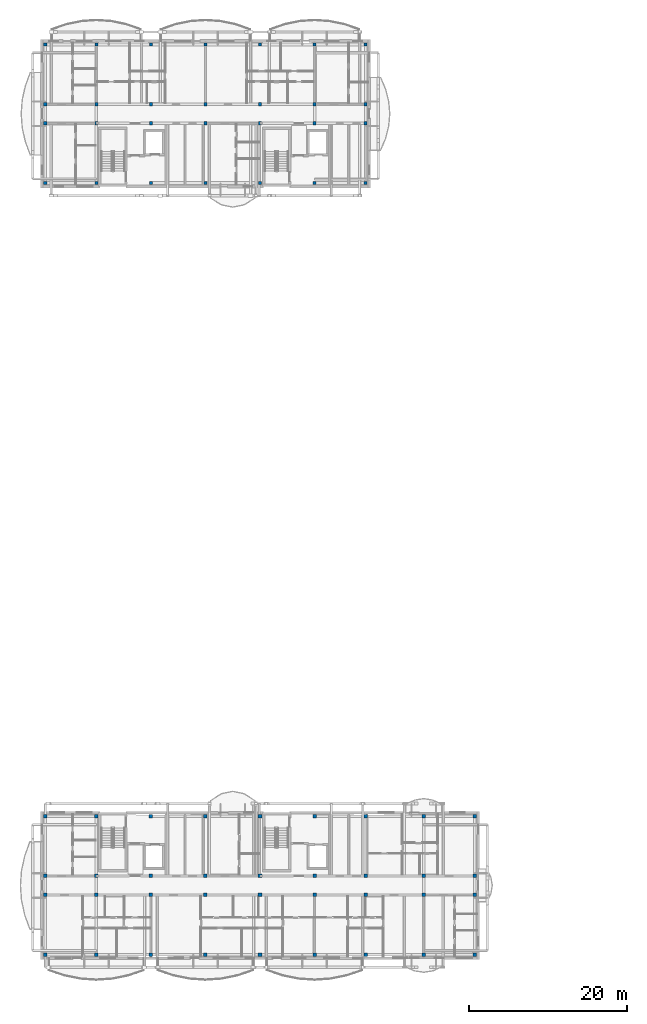
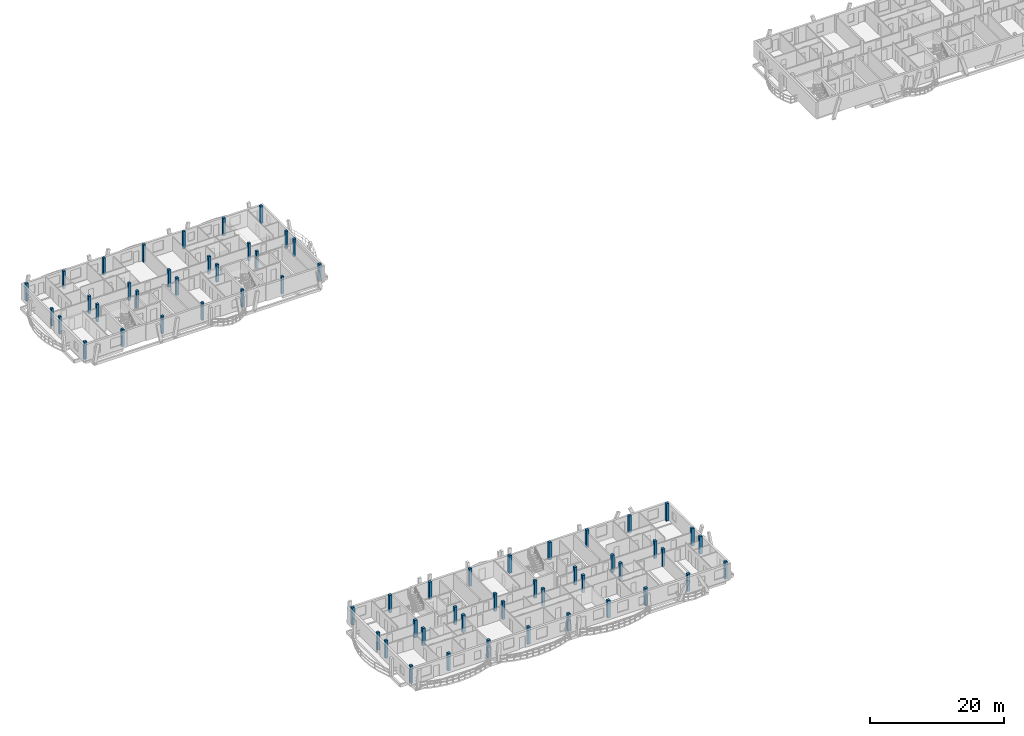
# One storey, part 1 of 41: 64 columns.
"""IFC4 building model written with IfcOpenShell, lengths in metres."""

from ifc_helpers import new_model, si_unit, direction, frame, origin, origin_2d, place, context, subcontext, project, spatial, rectangle, extrude, material, material_profile, profile_set, type_object, element, save


model = new_model("IFC4")

# Units and contexts
model_context = context("Model", 3, precision=1e-05, world=origin(), true_north=direction((0.0, 1.0)))
body_context = subcontext(model_context, "Body", "Model", "MODEL_VIEW")
ifc_project = project(units=[si_unit("LENGTHUNIT", "METRE"), si_unit("AREAUNIT", "SQUARE_METRE"), si_unit("VOLUMEUNIT", "CUBIC_METRE"), si_unit("PLANEANGLEUNIT", "RADIAN"), si_unit("MASSUNIT", "GRAM", prefix="KILO")], contexts=[model_context])

# Site, building, storey
site_placement = place(None, origin())
site = spatial("IfcSite", under=ifc_project, at=site_placement, CompositionType="ELEMENT")
building_placement = place(site_placement, origin())
building = spatial("IfcBuilding", under=site, at=building_placement, Name="Zavelmont Quarter", CompositionType="ELEMENT")
storey_placement = place(building_placement, frame((0.0, 0.0, 27.199951171875)))
storey = spatial("IfcBuildingStorey", under=building, at=storey_placement, Name="L08", CompositionType="ELEMENT", Elevation=27.199951171875)

# Columns
ifc_material = material(Name="Concrete C35/45", Category="concrete")
ifc_material_profile_1 = material_profile(ifc_material, rectangle(XDim=0.449951171875, YDim=0.449951171875, at=origin_2d()), Name="RC450X450")
ifc_profile_set_1 = profile_set([ifc_material_profile_1], Name="Concrete C35/45")
column_type_1 = type_object("IfcColumnType", Name="CL04", PredefinedType="COLUMN", material=ifc_profile_set_1)
for number, where, z_axis, x_axis, name in (
    (1, (0.43994140625, 0.43994140625, 0.0), (0.0, 0.0, 1.0), (1.0, 0.0, 0.0), "L08 column CL04 at 1/A"),
    (2, (0.43994140625, 8.0, 0.0), (0.0, 0.0, 1.0), (1.0, 0.0, 0.0), "L08 column CL04 at 1/B"),
    (3, (0.43994140625, 10.39990234375, 0.0), (0.0, 0.0, 1.0), (1.0, 0.0, 0.0), "L08 column CL04 at 1/C"),
    (4, (0.43994140625, 17.9599609375, 0.0), (0.0, 0.0, 1.0), (1.0, 0.0, 0.0), "L08 column CL04 at 1/D"),
    (5, (6.89990234375, 0.43994140625, 0.0), (0.0, 0.0, 1.0), (1.0, 0.0, 0.0), "L08 column CL04 at 2/A"),
    (6, (6.89990234375, 8.0, 0.0), (0.0, 0.0, 1.0), (1.0, 0.0, 0.0), "L08 column CL04 at 2/B"),
    (7, (6.89990234375, 10.39990234375, 0.0), (0.0, 0.0, 1.0), (1.0, 0.0, 0.0), "L08 column CL04 at 2/C"),
    (8, (6.89990234375, 17.9599609375, 0.0), (0.0, 0.0, 1.0), (1.0, 0.0, 0.0), "L08 column CL04 at 2/D"),
    (9, (13.800048828125, 0.43994140625, 0.0), (0.0, 0.0, 1.0), (1.0, 0.0, 0.0), "L08 column CL04 at 3/A"),
    (10, (13.800048828125, 8.0, 0.0), (0.0, 0.0, 1.0), (1.0, 0.0, 0.0), "L08 column CL04 at 3/B"),
    (11, (13.800048828125, 10.39990234375, 0.0), (0.0, 0.0, 1.0), (1.0, 0.0, 0.0), "L08 column CL04 at 3/C"),
    (12, (13.800048828125, 17.9599609375, 0.0), (0.0, 0.0, 1.0), (1.0, 0.0, 0.0), "L08 column CL04 at 3/D"),
    (13, (20.699951171875, 0.43994140625, 0.0), (0.0, 0.0, 1.0), (1.0, 0.0, 0.0), "L08 column CL04 at 4/A"),
    (14, (20.699951171875, 8.0, 0.0), (0.0, 0.0, 1.0), (1.0, 0.0, 0.0), "L08 column CL04 at 4/B"),
    (15, (20.699951171875, 10.39990234375, 0.0), (0.0, 0.0, 1.0), (1.0, 0.0, 0.0), "L08 column CL04 at 4/C"),
    (16, (20.699951171875, 17.9599609375, 0.0), (0.0, 0.0, 1.0), (1.0, 0.0, 0.0), "L08 column CL04 at 4/D"),
    (17, (27.60009765625, 0.43994140625, 0.0), (0.0, 0.0, 1.0), (1.0, 0.0, 0.0), "L08 column CL04 at 5/A"),
    (18, (27.60009765625, 8.0, 0.0), (0.0, 0.0, 1.0), (1.0, 0.0, 0.0), "L08 column CL04 at 5/B"),
    (19, (27.60009765625, 10.39990234375, 0.0), (0.0, 0.0, 1.0), (1.0, 0.0, 0.0), "L08 column CL04 at 5/C"),
    (20, (27.60009765625, 17.9599609375, 0.0), (0.0, 0.0, 1.0), (1.0, 0.0, 0.0), "L08 column CL04 at 5/D"),
    (21, (34.5, 0.43994140625, 0.0), (0.0, 0.0, 1.0), (1.0, 0.0, 0.0), "L08 column CL04 at 6/A"),
    (22, (34.5, 8.0, 0.0), (0.0, 0.0, 1.0), (1.0, 0.0, 0.0), "L08 column CL04 at 6/B"),
    (23, (34.5, 10.39990234375, 0.0), (0.0, 0.0, 1.0), (1.0, 0.0, 0.0), "L08 column CL04 at 6/C"),
    (24, (34.5, 17.9599609375, 0.0), (0.0, 0.0, 1.0), (1.0, 0.0, 0.0), "L08 column CL04 at 6/D"),
    (25, (40.9599609375, 0.43994140625, 0.0), (0.0, 0.0, 1.0), (1.0, 0.0, 0.0), "L08 column CL04 at 7/A"),
    (26, (40.9599609375, 8.0, 0.0), (0.0, 0.0, 1.0), (1.0, 0.0, 0.0), "L08 column CL04 at 7/B"),
    (27, (40.9599609375, 10.39990234375, 0.0), (0.0, 0.0, 1.0), (1.0, 0.0, 0.0), "L08 column CL04 at 7/C"),
    (28, (40.9599609375, 17.9599609375, 0.0), (0.0, 0.0, 1.0), (1.0, 0.0, 0.0), "L08 column CL04 at 7/D"),
    (29, (48.300048828125, 0.43994140625, 0.0), (0.0, 0.0, 1.0), (1.0, 0.0, 0.0), "L08 column CL04 at 8/A"),
    (30, (48.300048828125, 8.0, 0.0), (0.0, 0.0, 1.0), (1.0, 0.0, 0.0), "L08 column CL04 at 8/B"),
    (31, (48.300048828125, 10.39990234375, 0.0), (0.0, 0.0, 1.0), (1.0, 0.0, 0.0), "L08 column CL04 at 8/C"),
    (32, (48.300048828125, 17.9599609375, 0.0), (0.0, 0.0, 1.0), (1.0, 0.0, 0.0), "L08 column CL04 at 8/D"),
    (33, (54.760009765625, 0.43994140625, 0.0), (0.0, 0.0, 1.0), (1.0, 0.0, 0.0), "L08 column CL04 at 9/A"),
    (34, (54.760009765625, 8.0, 0.0), (0.0, 0.0, 1.0), (1.0, 0.0, 0.0), "L08 column CL04 at 9/B"),
    (35, (54.760009765625, 10.39990234375, 0.0), (0.0, 0.0, 1.0), (1.0, 0.0, 0.0), "L08 column CL04 at 9/C"),
    (36, (54.760009765625, 17.9599609375, 0.0), (0.0, 0.0, 1.0), (1.0, 0.0, 0.0), "L08 column CL04 at 9/D"),
):
    element("IfcColumn", number, at=place(storey_placement, frame(where, z_axis=z_axis, x_axis=x_axis)), inside=storey, type_object=column_type_1, Name=name, PredefinedType="COLUMN", context=body_context, shape_type="SweptSolid", body=[
        extrude(rectangle(XDim=0.449951171875, YDim=0.449951171875, at=origin_2d()), origin(), (0.0, 0.0, 1.0), 3.199951171875),
    ])
ifc_material_profile_2 = material_profile(ifc_material, rectangle(XDim=0.39990234375, YDim=0.39990234375, at=origin_2d()), Name="RC400X400")
ifc_profile_set_2 = profile_set([ifc_material_profile_2], Name="Concrete C35/45")
column_type_2 = type_object("IfcColumnType", Name="CL05", PredefinedType="COLUMN", material=ifc_profile_set_2)
for number, where, z_axis, x_axis, name in (
    (37, (0.43994140625, 98.0400390625, 0.0), (0.0, 0.0, 1.0), (1.0, 0.0, 0.0), "L08 column CL05 at 1/P"),
    (38, (0.43994140625, 105.60009765625, 0.0), (0.0, 0.0, 1.0), (1.0, 0.0, 0.0), "L08 column CL05 at 1/Q"),
    (39, (0.43994140625, 108.0, 0.0), (0.0, 0.0, 1.0), (1.0, 0.0, 0.0), "L08 column CL05 at 1/R"),
    (40, (0.43994140625, 115.56005859375, 0.0), (0.0, 0.0, 1.0), (1.0, 0.0, 0.0), "L08 column CL05 at 1/S"),
    (41, (6.89990234375, 98.0400390625, 0.0), (0.0, 0.0, 1.0), (1.0, 0.0, 0.0), "L08 column CL05 at 2/P"),
    (42, (6.89990234375, 105.60009765625, 0.0), (0.0, 0.0, 1.0), (1.0, 0.0, 0.0), "L08 column CL05 at 2/Q"),
    (43, (6.89990234375, 108.0, 0.0), (0.0, 0.0, 1.0), (1.0, 0.0, 0.0), "L08 column CL05 at 2/R"),
    (44, (6.89990234375, 115.56005859375, 0.0), (0.0, 0.0, 1.0), (1.0, 0.0, 0.0), "L08 column CL05 at 2/S"),
    (45, (13.800048828125, 98.0400390625, 0.0), (0.0, 0.0, 1.0), (1.0, 0.0, 0.0), "L08 column CL05 at 3/P"),
    (46, (13.800048828125, 105.60009765625, 0.0), (0.0, 0.0, 1.0), (1.0, 0.0, 0.0), "L08 column CL05 at 3/Q"),
    (47, (13.800048828125, 108.0, 0.0), (0.0, 0.0, 1.0), (1.0, 0.0, 0.0), "L08 column CL05 at 3/R"),
    (48, (13.800048828125, 115.56005859375, 0.0), (0.0, 0.0, 1.0), (1.0, 0.0, 0.0), "L08 column CL05 at 3/S"),
    (49, (20.699951171875, 98.0400390625, 0.0), (0.0, 0.0, 1.0), (1.0, 0.0, 0.0), "L08 column CL05 at 4/P"),
    (50, (20.699951171875, 105.60009765625, 0.0), (0.0, 0.0, 1.0), (1.0, 0.0, 0.0), "L08 column CL05 at 4/Q"),
    (51, (20.699951171875, 108.0, 0.0), (0.0, 0.0, 1.0), (1.0, 0.0, 0.0), "L08 column CL05 at 4/R"),
    (52, (20.699951171875, 115.56005859375, 0.0), (0.0, 0.0, 1.0), (1.0, 0.0, 0.0), "L08 column CL05 at 4/S"),
    (53, (27.60009765625, 98.0400390625, 0.0), (0.0, 0.0, 1.0), (1.0, 0.0, 0.0), "L08 column CL05 at 5/P"),
    (54, (27.60009765625, 105.60009765625, 0.0), (0.0, 0.0, 1.0), (1.0, 0.0, 0.0), "L08 column CL05 at 5/Q"),
    (55, (27.60009765625, 108.0, 0.0), (0.0, 0.0, 1.0), (1.0, 0.0, 0.0), "L08 column CL05 at 5/R"),
    (56, (27.60009765625, 115.56005859375, 0.0), (0.0, 0.0, 1.0), (1.0, 0.0, 0.0), "L08 column CL05 at 5/S"),
    (57, (34.5, 98.0400390625, 0.0), (0.0, 0.0, 1.0), (1.0, 0.0, 0.0), "L08 column CL05 at 6/P"),
    (58, (34.5, 105.60009765625, 0.0), (0.0, 0.0, 1.0), (1.0, 0.0, 0.0), "L08 column CL05 at 6/Q"),
    (59, (34.5, 108.0, 0.0), (0.0, 0.0, 1.0), (1.0, 0.0, 0.0), "L08 column CL05 at 6/R"),
    (60, (34.5, 115.56005859375, 0.0), (0.0, 0.0, 1.0), (1.0, 0.0, 0.0), "L08 column CL05 at 6/S"),
    (61, (40.9599609375, 98.0400390625, 0.0), (0.0, 0.0, 1.0), (1.0, 0.0, 0.0), "L08 column CL05 at 7/P"),
    (62, (40.9599609375, 105.60009765625, 0.0), (0.0, 0.0, 1.0), (1.0, 0.0, 0.0), "L08 column CL05 at 7/Q"),
    (63, (40.9599609375, 108.0, 0.0), (0.0, 0.0, 1.0), (1.0, 0.0, 0.0), "L08 column CL05 at 7/R"),
    (64, (40.9599609375, 115.56005859375, 0.0), (0.0, 0.0, 1.0), (1.0, 0.0, 0.0), "L08 column CL05 at 7/S"),
):
    element("IfcColumn", number, at=place(storey_placement, frame(where, z_axis=z_axis, x_axis=x_axis)), inside=storey, type_object=column_type_2, Name=name, PredefinedType="COLUMN", context=body_context, shape_type="SweptSolid", body=[
        extrude(rectangle(XDim=0.39990234375, YDim=0.39990234375, at=origin_2d()), origin(), (0.0, 0.0, 1.0), 3.199951171875),
    ])

save(model, "model.ifc")
